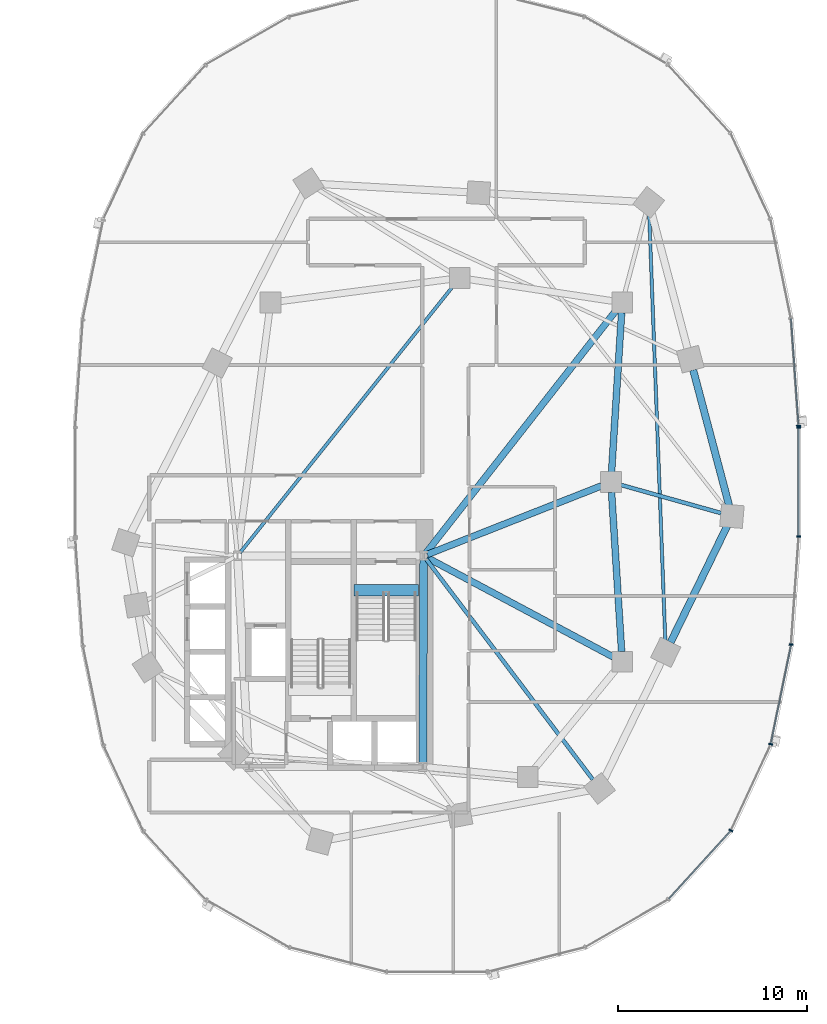
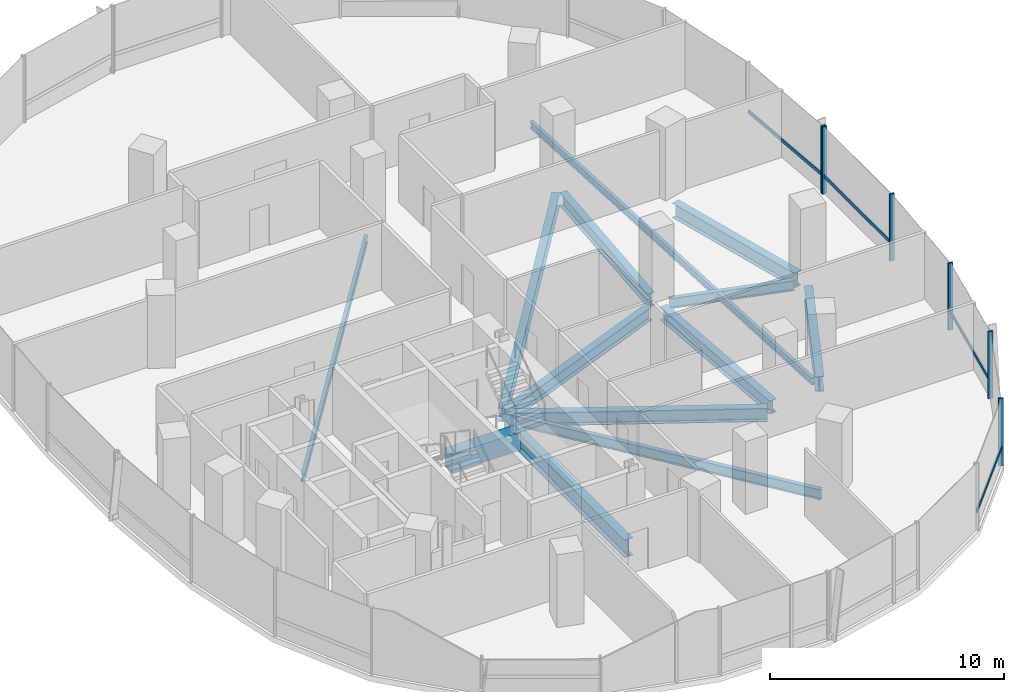
# One storey, part 6 of 22: 13 beams, 10 members, 2 elements without a shape of their own.
"""IFC4 building model written with IfcOpenShell, lengths in metres."""

from ifc_helpers import new_model, si_unit, direction, frame, origin, origin_2d, place, context, subcontext, project, spatial, rectangle, i_section, extrude, material, material_profile, profile_set, type_object, element, aggregate, save


model = new_model("IFC4")

# Units and contexts
model_context = context("Model", 3, precision=1e-05, world=origin(), true_north=direction((0.0, 1.0)))
body_context = subcontext(model_context, "Body", "Model", "MODEL_VIEW")
ifc_project = project(units=[si_unit("LENGTHUNIT", "METRE"), si_unit("AREAUNIT", "SQUARE_METRE"), si_unit("VOLUMEUNIT", "CUBIC_METRE"), si_unit("PLANEANGLEUNIT", "RADIAN"), si_unit("MASSUNIT", "GRAM", prefix="KILO"), si_unit("THERMODYNAMICTEMPERATUREUNIT", "KELVIN"), si_unit("POWERUNIT", "WATT")], contexts=[model_context])

# Site, building, storey
site_placement = place(None, origin())
site = spatial("IfcSite", under=ifc_project, at=site_placement, CompositionType="ELEMENT")
building_placement = place(site_placement, origin())
building = spatial("IfcBuilding", under=site, at=building_placement, Name="Cundina Bronze Exchange", CompositionType="ELEMENT")
storey_placement = place(building_placement, frame((0.0, 0.0, 39.199951171875)))
storey = spatial("IfcBuildingStorey", under=building, at=storey_placement, Name="L09", CompositionType="ELEMENT", Elevation=39.199951171875)

# Beams
ifc_material_1 = material(Name="Concrete C60/75", Category="concrete")
ifc_material_profile_1 = material_profile(ifc_material_1, rectangle(XDim=0.60009765625, YDim=0.949951171875, at=origin_2d()), Name="RC600X950", Category="concrete")
ifc_profile_set_1 = profile_set([ifc_material_profile_1], Name="Concrete C60/75")
beam_type_1 = type_object("IfcBeamType", Name="BM-COUP-RC950", PredefinedType="LINTEL", material=ifc_profile_set_1)
beam_1_placement = place(storey_placement, frame((27.6201171875, -5.719970703125, -0.474853515625), z_axis=(1.0, 0.0, 0.0), x_axis=(0.0, 1.0, 0.0)))
element("IfcBeam", 1, at=beam_1_placement, inside=storey, type_object=beam_type_1, Name="L09 Stair E1 Landing Header Beam", PredefinedType="LINTEL", context=body_context, shape_type="SweptSolid", body=[
    extrude(rectangle(XDim=0.60009765625, YDim=0.949951171875, at=origin_2d()), origin(), (0.0, 0.0, 1.0), 3.39990234375),
])
ifc_material_2 = material(Name="Steel ASTM A992 Grade 50", Category="steel")
ifc_material_profile_2 = material_profile(ifc_material_2, i_section(OverallWidth=0.2099609375, OverallDepth=0.532958984375, WebThickness=0.01025390625, FlangeThickness=0.015625, FilletRadius=0.013916015625, at=origin_2d()), Name="W21X62", Category="steel")
ifc_profile_set_2 = profile_set([ifc_material_profile_2], Name="Steel ASTM A992 Grade 50")
beam_type_2 = type_object("IfcBeamType", Name="BM-FLR-W21B", PredefinedType="BEAM", material=ifc_profile_set_2)
beam_2_placement = place(storey_placement, frame((31.423095703125, -4.062744140625, -0.56640625), z_axis=(0.603106461849, -0.797660702101, 0.0), x_axis=(0.797660702101, 0.603106461849, 0.0)))
element("IfcBeam", 2, at=beam_2_placement, inside=storey, type_object=beam_type_2, Name="L09 Leg E Chordal Floor Beam 06", PredefinedType="BEAM", context=body_context, shape_type="SweptSolid", body=[
    extrude(i_section(OverallWidth=0.2099609375, OverallDepth=0.532958984375, WebThickness=0.01025390625, FlangeThickness=0.015625, FilletRadius=0.013916015625, at=origin_2d()), origin(), (0.0, 0.0, 1.0), 14.6279296875),
])
beam_3_placement = place(storey_placement, frame((41.718017578125, -0.145751953125, -0.56640625), z_axis=(0.962650219971, -0.270748137554, 0.0), x_axis=(0.270748137554, 0.962650219971, 0.0)))
element("IfcBeam", 3, at=beam_3_placement, inside=storey, type_object=beam_type_2, Name="L09 Leg E Chordal Floor Beam 08", PredefinedType="BEAM", context=body_context, shape_type="SweptSolid", body=[
    extrude(i_section(OverallWidth=0.2099609375, OverallDepth=0.532958984375, WebThickness=0.01025390625, FlangeThickness=0.015625, FilletRadius=0.013916015625, at=origin_2d()), origin(), (0.0, 0.0, 1.0), 5.522216796875),
])
ifc_material_profile_3 = material_profile(ifc_material_2, i_section(OverallWidth=0.172119140625, OverallDepth=0.35791015625, WebThickness=0.0078125, FlangeThickness=0.01318359375, FilletRadius=0.010009765625, at=origin_2d()), Name="W14X38", Category="steel")
ifc_profile_set_3 = profile_set([ifc_material_profile_3], Name="Steel ASTM A992 Grade 50")
beam_type_3 = type_object("IfcBeamType", Name="BM-JST-W14", PredefinedType="JOIST", material=ifc_profile_set_3)
beam_4_placement = place(storey_placement, frame((21.577392578125, -3.740478515625, -0.47900390625), z_axis=(0.62436887964, 0.781129632095, 0.0), x_axis=(-0.781129632095, 0.62436887964, 0.0)))
element("IfcBeam", 4, at=beam_4_placement, inside=storey, type_object=beam_type_3, Name="L09 E Interior Core-to-Ring Joist 2", PredefinedType="JOIST", context=body_context, shape_type="SweptSolid", body=[
    extrude(i_section(OverallWidth=0.172119140625, OverallDepth=0.35791015625, WebThickness=0.0078125, FlangeThickness=0.01318359375, FilletRadius=0.010009765625, at=origin_2d()), origin(), (0.0, 0.0, 1.0), 18.076904296875),
])
beam_5_placement = place(storey_placement, frame((44.077880859375, -8.412353515625, -0.47900390625), z_axis=(-0.037794949147, 0.999285515666, 0.0), x_axis=(-0.999285515666, -0.037794949147, 0.0)))
element("IfcBeam", 5, at=beam_5_placement, inside=storey, type_object=beam_type_3, Name="L09 Leg E Lobe Floor Joist 07-10", PredefinedType="JOIST", context=body_context, shape_type="SweptSolid", body=[
    extrude(i_section(OverallWidth=0.172119140625, OverallDepth=0.35791015625, WebThickness=0.0078125, FlangeThickness=0.01318359375, FilletRadius=0.010009765625, at=origin_2d()), origin(), (0.0, 0.0, 1.0), 22.640869140625),
])
ifc_material_profile_4 = material_profile(ifc_material_2, i_section(OverallWidth=0.35498046875, OverallDepth=0.695068359375, WebThickness=0.015380859375, FlangeThickness=0.02490234375, FilletRadius=0.01806640625, at=origin_2d()), Name="W27X146", Category="steel")
ifc_profile_set_4 = profile_set([ifc_material_profile_4], Name="Steel ASTM A992 Grade 50")
beam_type_4 = type_object("IfcBeamType", Name="BM-RING-W27", PredefinedType="USERDEFINED", material=ifc_profile_set_4)
for number, where, z_axis, x_axis, name in (
    (6, (41.76611328125, -8.963134765625, -0.6474609375), (-0.06303715519, 0.998011180832, 0.0), (-0.998011180832, -0.06303715519, 0.0), "L09 E Inner Structural Ring Girder 03"),
    (7, (41.23388671875, 0.536865234375, -0.6474609375), (0.06303715519, 0.998011180832, 0.0), (-0.998011180832, 0.06303715519, 0.0), "L09 E Inner Structural Ring Girder 04"),
):
    element("IfcBeam", number, at=place(storey_placement, frame(where, z_axis=z_axis, x_axis=x_axis)), inside=storey, type_object=beam_type_4, Name=name, ObjectType="GIRDER", PredefinedType="USERDEFINED", context=body_context, shape_type="SweptSolid", body=[
        extrude(i_section(OverallWidth=0.35498046875, OverallDepth=0.695068359375, WebThickness=0.015380859375, FlangeThickness=0.02490234375, FilletRadius=0.01806640625, at=origin_2d()), origin(), (0.0, 0.0, 1.0), 8.443115234375),
    ])
beam_6_placement = place(storey_placement, frame((31.48974609375, -3.8251953125, -0.6474609375), z_axis=(0.930413235418, 0.366512225388, 0.0), x_axis=(-0.366512225388, 0.930413235418, 0.0)))
element("IfcBeam", 8, at=beam_6_placement, inside=storey, type_object=beam_type_4, Name="L09 E Core-to-Waist Tie Beam 1", ObjectType="GIRDER", PredefinedType="USERDEFINED", context=body_context, shape_type="SweptSolid", body=[
    extrude(i_section(OverallWidth=0.35498046875, OverallDepth=0.695068359375, WebThickness=0.015380859375, FlangeThickness=0.02490234375, FilletRadius=0.01806640625, at=origin_2d()), origin(), (0.0, 0.0, 1.0), 9.8984375),
])
beam_7_placement = place(storey_placement, frame((31.47998046875, -3.99609375, -0.6474609375), z_axis=(0.882354758239, -0.470584828286, 0.0), x_axis=(0.470584828286, 0.882354758239, 0.0)))
element("IfcBeam", 9, at=beam_7_placement, inside=storey, type_object=beam_type_4, Name="L09 E Core-to-Waist Tie Beam 2", ObjectType="GIRDER", PredefinedType="USERDEFINED", context=body_context, shape_type="SweptSolid", body=[
    extrude(i_section(OverallWidth=0.35498046875, OverallDepth=0.695068359375, WebThickness=0.015380859375, FlangeThickness=0.02490234375, FilletRadius=0.01806640625, at=origin_2d()), origin(), (0.0, 0.0, 1.0), 11.157958984375),
])
beam_8_placement = place(storey_placement, frame((31.42578125, -3.739501953125, -0.6474609375), z_axis=(0.616789275748, 0.787128318206, 0.0), x_axis=(-0.787128318206, 0.616789275748, 0.0)))
element("IfcBeam", 10, at=beam_8_placement, inside=storey, type_object=beam_type_4, Name="L09 E Core-to-Waist Tie Beam 3", ObjectType="GIRDER", PredefinedType="USERDEFINED", context=body_context, shape_type="SweptSolid", body=[
    extrude(i_section(OverallWidth=0.35498046875, OverallDepth=0.695068359375, WebThickness=0.015380859375, FlangeThickness=0.02490234375, FilletRadius=0.01806640625, at=origin_2d()), origin(), (0.0, 0.0, 1.0), 16.281982421875),
])
ifc_material_profile_5 = material_profile(ifc_material_2, i_section(OverallWidth=0.381103515625, OverallDepth=0.77294921875, WebThickness=0.0166015625, FlangeThickness=0.027099609375, FilletRadius=0.01904296875, at=origin_2d()), Name="W30X173", Category="steel")
ifc_profile_set_5 = profile_set([ifc_material_profile_5], Name="Steel ASTM A992 Grade 50")
beam_type_5 = type_object("IfcBeamType", Name="BM-RING-W30", PredefinedType="USERDEFINED", material=ifc_profile_set_5)
beam_9_placement = place(storey_placement, frame((44.357177734375, -8.47119140625, -0.6865234375), z_axis=(0.437190698904, 0.899368830231, 0.0), x_axis=(-0.899368830231, 0.437190698904, 0.0)))
element("IfcBeam", 11, at=beam_9_placement, inside=storey, type_object=beam_type_5, Name="L09 E Perimeter Ring Girder 07", ObjectType="GIRDER", PredefinedType="USERDEFINED", context=body_context, shape_type="SweptSolid", body=[
    extrude(i_section(OverallWidth=0.381103515625, OverallDepth=0.77294921875, WebThickness=0.0166015625, FlangeThickness=0.027099609375, FilletRadius=0.01904296875, at=origin_2d()), origin(), (0.0, 0.0, 1.0), 6.82958984375),
])
beam_10_placement = place(storey_placement, frame((47.44921875, -1.231689453125, -0.6865234375), z_axis=(-0.256177785604, 0.966629682021, 0.0), x_axis=(-0.966629682021, -0.256177785604, 0.0)))
element("IfcBeam", 12, at=beam_10_placement, inside=storey, type_object=beam_type_5, Name="L09 E Perimeter Ring Girder 08", ObjectType="GIRDER", PredefinedType="USERDEFINED", context=body_context, shape_type="SweptSolid", body=[
    extrude(i_section(OverallWidth=0.381103515625, OverallDepth=0.77294921875, WebThickness=0.0166015625, FlangeThickness=0.027099609375, FilletRadius=0.01904296875, at=origin_2d()), origin(), (0.0, 0.0, 1.0), 7.41064453125),
])
ifc_material_profile_6 = material_profile(ifc_material_2, i_section(OverallWidth=0.41796875, OverallDepth=0.927001953125, WebThickness=0.019287109375, FlangeThickness=0.031982421875, FilletRadius=0.02392578125, at=origin_2d()), Name="W36X231", Category="steel")
ifc_profile_set_6 = profile_set([ifc_material_profile_6], Name="Steel ASTM A992 Grade 50")
beam_type_6 = type_object("IfcBeamType", Name="BM-WRN-W36B", PredefinedType="USERDEFINED", material=ifc_profile_set_6)
beam_11_placement = place(storey_placement, frame((31.2509765625, -14.845947265625, -0.763427734375), z_axis=(0.004477329608, 0.99998997671, 0.0), x_axis=(-0.99998997671, 0.004477329608, 0.0)))
element("IfcBeam", 13, at=beam_11_placement, inside=storey, type_object=beam_type_6, Name="L09 E Core Perimeter Tie Girder 4", ObjectType="GIRDER", PredefinedType="USERDEFINED", context=body_context, shape_type="SweptSolid", body=[
    extrude(i_section(OverallWidth=0.41796875, OverallDepth=0.927001953125, WebThickness=0.019287109375, FlangeThickness=0.031982421875, FilletRadius=0.02392578125, at=origin_2d()), origin(), (0.0, 0.0, 1.0), 10.741943359375),
])

# Curtain wall, member
ifc_material_3 = material(Name="Anodised Bronze Aluminium 6063-T6", Category="aluminium")
curtain_wall_type = type_object("IfcCurtainWallType", Name="CWS-TRD-LOW", PredefinedType="NOTDEFINED", material=ifc_material_3)
curtain_wall_1_placement = place(storey_placement, origin())
curtain_wall_1 = element("IfcCurtainWall", 14, at=curtain_wall_1_placement, inside=storey, type_object=curtain_wall_type, Name="L09 CW-02 Curtain Wall Run CWR-L09-E1", PredefinedType="NOTDEFINED")
ifc_material_profile_7 = material_profile(ifc_material_3, rectangle(XDim=0.074951171875, YDim=0.219970703125, at=origin_2d()), Name="AL75X220", Category="aluminium")
ifc_profile_set_7 = profile_set([ifc_material_profile_7], Name="Anodised Bronze Aluminium 6063-T6")
member_type_1 = type_object("IfcMemberType", Name="CWM-MUL-220", PredefinedType="MULLION", material=ifc_profile_set_7)
member_1_placement = place(storey_placement, frame((51.12451171875, 2.976318359375, 0.0), z_axis=(0.0, 0.0, 1.0), x_axis=(-0.070278787473, 0.997527389113, 0.0)))
member_1 = element("IfcMember", 15, at=member_1_placement, type_object=member_type_1, Name="CW-02 Mullion 1", PredefinedType="MULLION", context=body_context, shape_type="SweptSolid", body=[
    extrude(rectangle(XDim=0.074951171875, YDim=0.219970703125, at=origin_2d()), origin(), (0.0, 0.0, 1.0), 3.5),
])

# Curtain wall, members
curtain_wall_2_placement = place(storey_placement, origin())
curtain_wall_2 = element("IfcCurtainWall", 16, at=curtain_wall_2_placement, inside=storey, type_object=curtain_wall_type, Name="L09 CW-02 Curtain Wall Run CWR-L09-E4", PredefinedType="NOTDEFINED")
member_2_placement = place(storey_placement, frame((47.544189453125, -18.423583984375, 0.0), z_axis=(0.0, 0.0, 1.0), x_axis=(0.42087749791, 0.907117485088, 0.0)))
member_2 = element("IfcMember", 17, at=member_2_placement, type_object=member_type_1, Name="CW-02 Mullion 4", PredefinedType="MULLION", context=body_context, shape_type="SweptSolid", body=[
    extrude(rectangle(XDim=0.074951171875, YDim=0.219970703125, at=origin_2d()), origin(), (0.0, 0.0, 1.0), 3.5),
])
member_3_placement = place(storey_placement, frame((49.651123046875, -13.861328125, 0.0), z_axis=(0.0, 0.0, 1.0), x_axis=(0.201419845156, 0.979505000486, 0.0)))
member_3 = element("IfcMember", 18, at=member_3_placement, type_object=member_type_1, Name="CW-02 Mullion 5", PredefinedType="MULLION", context=body_context, shape_type="SweptSolid", body=[
    extrude(rectangle(XDim=0.074951171875, YDim=0.219970703125, at=origin_2d()), origin(), (0.0, 0.0, 1.0), 3.5),
])
member_4_placement = place(storey_placement, frame((50.72900390625, -8.591552734375, 0.0), z_axis=(0.0, 0.0, 1.0), x_axis=(0.070278787473, 0.997527389113, 0.0)))
member_4 = element("IfcMember", 19, at=member_4_placement, type_object=member_type_1, Name="CW-02 Mullion 6", PredefinedType="MULLION", context=body_context, shape_type="SweptSolid", body=[
    extrude(rectangle(XDim=0.074951171875, YDim=0.219970703125, at=origin_2d()), origin(), (0.0, 0.0, 1.0), 3.5),
])
member_5_placement = place(storey_placement, frame((51.1279296875, -2.880615234375, 0.0), z_axis=(0.0, 0.0, 1.0), x_axis=(0.0, 1.0, 0.0)))
member_5 = element("IfcMember", 20, at=member_5_placement, type_object=member_type_1, Name="CW-02 Mullion 7", PredefinedType="MULLION", context=body_context, shape_type="SweptSolid", body=[
    extrude(rectangle(XDim=0.074951171875, YDim=0.219970703125, at=origin_2d()), origin(), (0.0, 0.0, 1.0), 3.5),
])
member_6_placement = place(storey_placement, frame((51.1279296875, 2.880615234375, 0.0), z_axis=(0.0, 0.0, 1.0), x_axis=(0.0, 1.0, 0.0)))
member_6 = element("IfcMember", 21, at=member_6_placement, type_object=member_type_1, Name="CW-02 End Mullion", PredefinedType="MULLION", context=body_context, shape_type="SweptSolid", body=[
    extrude(rectangle(XDim=0.074951171875, YDim=0.219970703125, at=origin_2d()), origin(), (0.0, 0.0, 1.0), 3.5),
])

# Member
ifc_material_profile_8 = material_profile(ifc_material_3, rectangle(XDim=0.070068359375, YDim=0.179931640625, at=origin_2d()), Name="AL70X180", Category="aluminium")
ifc_profile_set_8 = profile_set([ifc_material_profile_8], Name="Anodised Bronze Aluminium 6063-T6")
member_type_2 = type_object("IfcMemberType", Name="CWM-TRN-180", PredefinedType="USERDEFINED", material=ifc_profile_set_8)
member_7_placement = place(storey_placement, frame((51.12158203125, 3.017333984375, 0.920166015625), z_axis=(-0.070260714471, 0.997528662246, 0.0), x_axis=(-0.997528662246, -0.070260714471, 0.0)))
member_7 = element("IfcMember", 22, at=member_7_placement, type_object=member_type_2, Name="CW-02 Spandrel Transom 1", ObjectType="TRANSOM", PredefinedType="USERDEFINED", context=body_context, shape_type="SweptSolid", body=[
    extrude(rectangle(XDim=0.070068359375, YDim=0.179931640625, at=origin_2d()), origin(), (0.0, 0.0, 1.0), 5.629150390625),
])

aggregate(curtain_wall_1, [member_1, member_7])

member_8_placement = place(storey_placement, frame((44.26708984375, -22.027099609375, 0.920166015625), z_axis=(0.674302794847, 0.738454968743, 0.0), x_axis=(-0.738454968743, 0.674302794847, 0.0)))
member_8 = element("IfcMember", 23, at=member_8_placement, type_object=member_type_2, Name="CW-02 Spandrel Transom 3", ObjectType="TRANSOM", PredefinedType="USERDEFINED", context=body_context, shape_type="SweptSolid", body=[
    extrude(rectangle(XDim=0.070068359375, YDim=0.179931640625, at=origin_2d()), origin(), (0.0, 0.0, 1.0), 4.848388671875),
])

member_9_placement = place(storey_placement, frame((49.659423828125, -13.821044921875, 0.920166015625), z_axis=(0.201427712708, 0.979503382615, 0.0), x_axis=(-0.979503382615, 0.201427712708, 0.0)))
member_9 = element("IfcMember", 24, at=member_9_placement, type_object=member_type_2, Name="CW-02 Spandrel Transom 5", ObjectType="TRANSOM", PredefinedType="USERDEFINED", context=body_context, shape_type="SweptSolid", body=[
    extrude(rectangle(XDim=0.070068359375, YDim=0.179931640625, at=origin_2d()), origin(), (0.0, 0.0, 1.0), 5.291748046875),
])

member_10_placement = place(storey_placement, frame((51.1279296875, -2.839111328125, 0.920166015625), z_axis=(0.0, 1.0, 0.0), x_axis=(-1.0, 0.0, 0.0)))
member_10 = element("IfcMember", 25, at=member_10_placement, type_object=member_type_2, Name="CW-02 Spandrel Transom 7", ObjectType="TRANSOM", PredefinedType="USERDEFINED", context=body_context, shape_type="SweptSolid", body=[
    extrude(rectangle(XDim=0.070068359375, YDim=0.179931640625, at=origin_2d()), origin(), (0.0, 0.0, 1.0), 5.67822265625),
])

aggregate(curtain_wall_2, [member_8, member_2, member_3, member_9, member_4, member_5, member_6, member_10])

save(model, "model.ifc")
